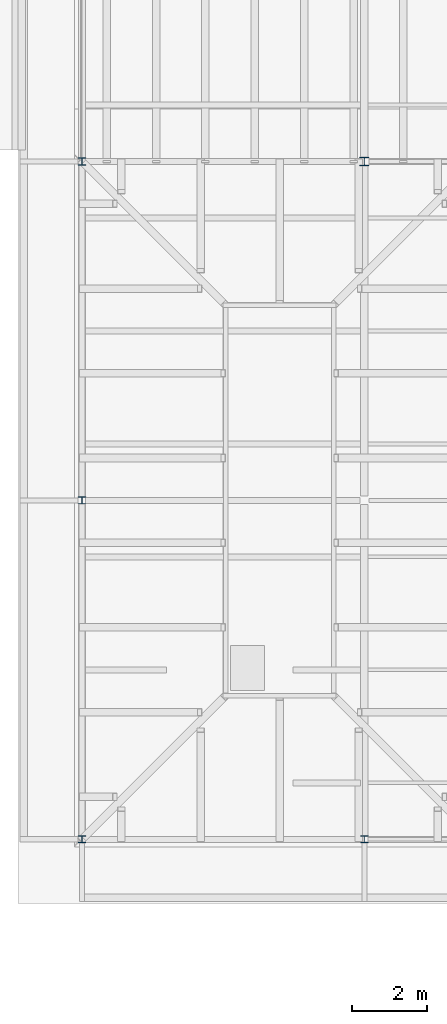
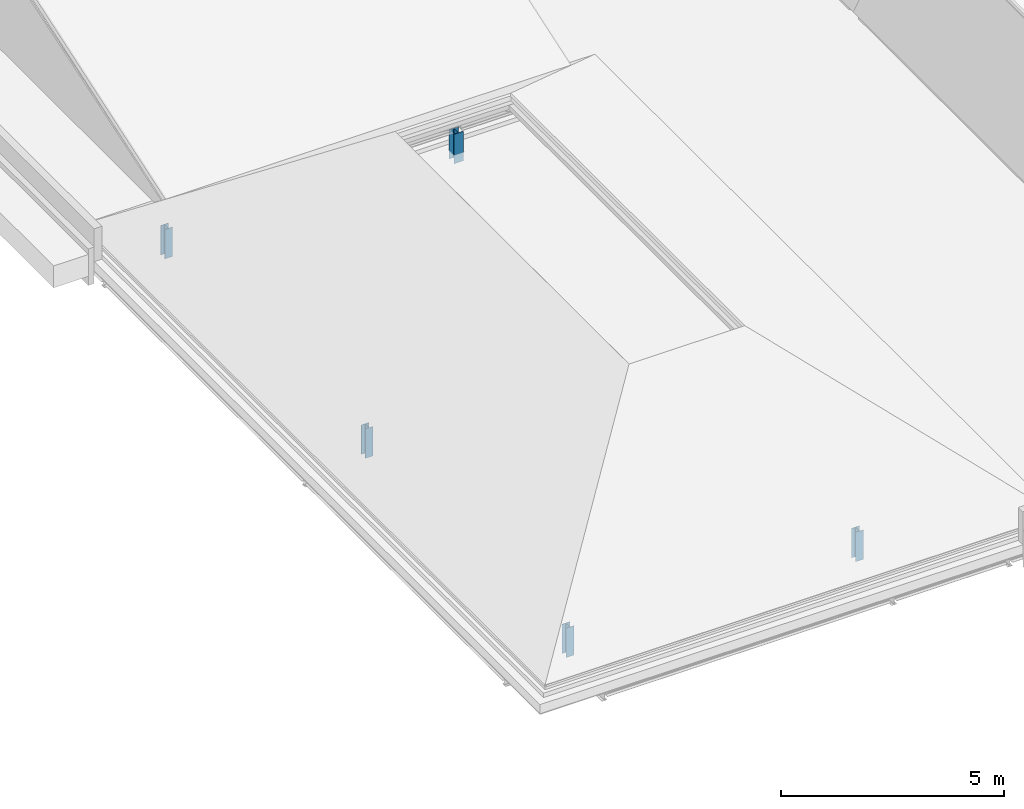
# One storey, part 10 of 121: 5 columns.
"""IFC4 building model written with IfcOpenShell, lengths in metres."""

from ifc_helpers import new_model, si_unit, direction, frame, origin, origin_2d, place, context, subcontext, project, spatial, i_section, extrude, material, material_profile, profile_set, type_object, element, save


model = new_model("IFC4")

# Units and contexts
model_context = context("Model", 3, precision=1e-05, world=origin(), true_north=direction((0.0, 1.0)))
body_context = subcontext(model_context, "Body", "Model", "MODEL_VIEW")
ifc_project = project(units=[si_unit("LENGTHUNIT", "METRE"), si_unit("AREAUNIT", "SQUARE_METRE"), si_unit("VOLUMEUNIT", "CUBIC_METRE"), si_unit("PLANEANGLEUNIT", "RADIAN"), si_unit("MASSUNIT", "GRAM", prefix="KILO")], contexts=[model_context])

# Site, building, storey
site_placement = place(None, origin())
site = spatial("IfcSite", under=ifc_project, at=site_placement, CompositionType="ELEMENT")
building_placement = place(site_placement, origin())
building = spatial("IfcBuilding", under=site, at=building_placement, Name="Golden Quay Civic Hall", CompositionType="ELEMENT")
storey_placement = place(building_placement, frame((0.0, 0.0, 18.60009765625)))
storey = spatial("IfcBuildingStorey", under=building, at=storey_placement, Name="L04", CompositionType="ELEMENT", Elevation=18.60009765625)

# Columns
ifc_material_1 = material(Name="Steel S355", Category="steel")
ifc_material_profile_1 = material_profile(ifc_material_1, i_section(OverallWidth=0.199951171875, OverallDepth=0.18994140625, WebThickness=0.006591796875, FlangeThickness=0.010009765625, FilletRadius=0.01806640625, at=origin_2d()), Name="HEA 200")
ifc_profile_set_1 = profile_set([ifc_material_profile_1], Name="Steel S355")
column_type_1 = type_object("IfcColumnType", Name="Steel roof post HEA 200", PredefinedType="COLUMN", material=ifc_profile_set_1)
for number, where, z_axis, x_axis, name in (
    (1, (54.0, 0.0, -0.25), (0.0, 0.0, 1.0), (1.0, 0.0, 0.0), "Roof post 54/0"),
    (2, (54.0, 9.0, -0.25), (0.0, 0.0, 1.0), (1.0, 0.0, 0.0), "Roof post 54/9"),
    (3, (54.0, 18.0, -0.25), (0.0, 0.0, 1.0), (1.0, 0.0, 0.0), "Roof post 54/18"),
    (4, (61.5, 0.0, -0.25), (0.0, 0.0, 1.0), (1.0, 0.0, 0.0), "Roof post 61.5/0"),
):
    element("IfcColumn", number, at=place(storey_placement, frame(where, z_axis=z_axis, x_axis=x_axis)), inside=storey, type_object=column_type_1, Name=name, PredefinedType="COLUMN", context=body_context, shape_type="SweptSolid", body=[
        extrude(i_section(OverallWidth=0.199951171875, OverallDepth=0.18994140625, WebThickness=0.006591796875, FlangeThickness=0.010009765625, FilletRadius=0.01806640625, at=origin_2d()), origin(), (0.0, 0.0, 1.0), 0.804931640625),
    ])
ifc_material_2 = material(Name="Steel S355", Category="steel")
ifc_material_profile_2 = material_profile(ifc_material_2, i_section(OverallWidth=0.239990234375, OverallDepth=0.22998046875, WebThickness=0.007568359375, FlangeThickness=0.011962890625, FilletRadius=0.02099609375, at=origin_2d()), Name="HEA 240")
ifc_profile_set_2 = profile_set([ifc_material_profile_2], Name="Steel S355")
column_type_2 = type_object("IfcColumnType", Name="Steel roof post HEA 240", PredefinedType="COLUMN", material=ifc_profile_set_2)
column_placement = place(storey_placement, frame((61.5, 18.0, -0.25), z_axis=(0.0, 0.0, 1.0), x_axis=(1.0, 0.0, 0.0)))
element("IfcColumn", 5, at=column_placement, inside=storey, type_object=column_type_2, Name="Roof post 61.5/18", PredefinedType="COLUMN", context=body_context, shape_type="SweptSolid", body=[
    extrude(i_section(OverallWidth=0.239990234375, OverallDepth=0.22998046875, WebThickness=0.007568359375, FlangeThickness=0.011962890625, FilletRadius=0.02099609375, at=origin_2d()), origin(), (0.0, 0.0, 1.0), 0.804931640625),
])

save(model, "model.ifc")
